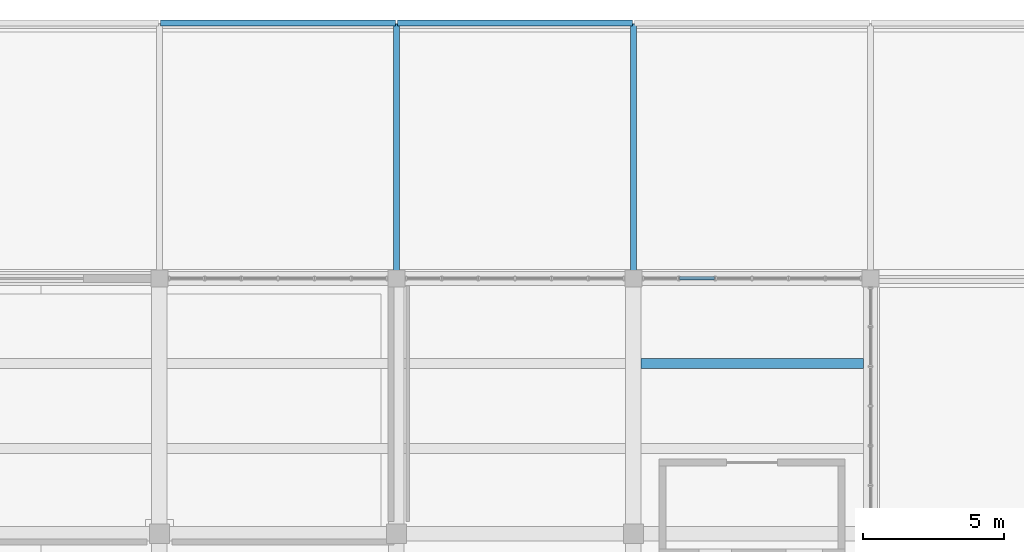
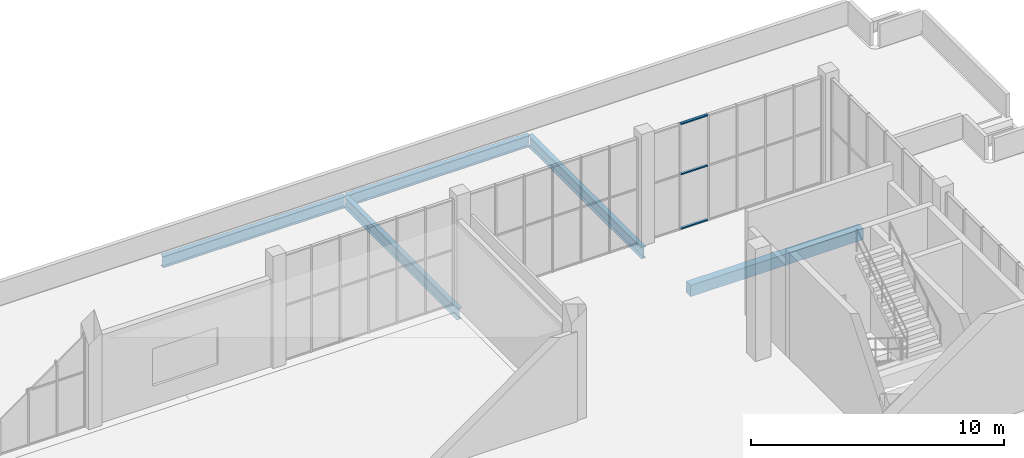
# One storey, part 91 of 132: 5 beams, 3 members, 1 element without a shape of its own.
"""IFC4 building model written with IfcOpenShell, lengths in metres."""

from ifc_helpers import new_model, si_unit, direction, frame, origin, origin_2d, place, context, subcontext, project, spatial, rectangle, hollow_rectangle, i_section, extrude, material, material_profile, profile_set, type_object, element, aggregate, save


model = new_model("IFC4")

# Units and contexts
model_context = context("Model", 3, precision=1e-05, world=origin(), true_north=direction((0.0, 1.0)))
body_context = subcontext(model_context, "Body", "Model", "MODEL_VIEW")
ifc_project = project(units=[si_unit("LENGTHUNIT", "METRE"), si_unit("AREAUNIT", "SQUARE_METRE"), si_unit("VOLUMEUNIT", "CUBIC_METRE"), si_unit("PLANEANGLEUNIT", "RADIAN"), si_unit("MASSUNIT", "GRAM", prefix="KILO")], contexts=[model_context])

# Site, building, storey
site_placement = place(None, origin())
site = spatial("IfcSite", under=ifc_project, at=site_placement, CompositionType="ELEMENT")
building_placement = place(site_placement, origin())
building = spatial("IfcBuilding", under=site, at=building_placement, Name="Khurvash Pelagic Aquarium", CompositionType="ELEMENT")
storey_placement = place(building_placement, frame((0.0, 0.0, 5.39990234375)))
storey = spatial("IfcBuildingStorey", under=building, at=storey_placement, Name="L01", CompositionType="ELEMENT", Elevation=5.39990234375)

# Beams
ifc_material_1 = material(Name="Steel ASTM A992 Grade 50", Category="steel")
ifc_material_profile_1 = material_profile(ifc_material_1, i_section(OverallWidth=0.214111328125, OverallDepth=0.549072265625, WebThickness=0.0146484375, FlangeThickness=0.023681640625, at=origin_2d()), Name="W21X93")
ifc_profile_set_1 = profile_set([ifc_material_profile_1], Name="Steel ASTM A992 Grade 50")
beam_type_1 = type_object("IfcBeamType", Name="BM-11", PredefinedType="BEAM", material=ifc_profile_set_1)
beam_1_placement = place(storey_placement, frame((92.43994140625, 111.199951171875, -0.594482421875), z_axis=(1.0, 0.0, 0.0), x_axis=(0.0, 1.0, 0.0)))
element("IfcBeam", 1, at=beam_1_placement, inside=storey, type_object=beam_type_1, Name="L01 Roof Girder BM-11 01201", PredefinedType="BEAM", context=body_context, shape_type="SweptSolid", body=[
    extrude(i_section(OverallWidth=0.214111328125, OverallDepth=0.549072265625, WebThickness=0.0146484375, FlangeThickness=0.023681640625, at=origin_2d()), origin(), (0.0, 0.0, 1.0), 8.320068359375),
])
beam_2_placement = place(storey_placement, frame((100.840087890625, 111.199951171875, -0.594482421875), z_axis=(1.0, 0.0, 0.0), x_axis=(0.0, 1.0, 0.0)))
element("IfcBeam", 2, at=beam_2_placement, inside=storey, type_object=beam_type_1, Name="L01 Roof Girder BM-11 01202", PredefinedType="BEAM", context=body_context, shape_type="SweptSolid", body=[
    extrude(i_section(OverallWidth=0.214111328125, OverallDepth=0.549072265625, WebThickness=0.0146484375, FlangeThickness=0.023681640625, at=origin_2d()), origin(), (0.0, 0.0, 1.0), 8.31982421875),
])
for number, where, z_axis, x_axis, name in (
    (3, (100.800048828125, 102.18994140625, -0.594482421875), (0.0, 1.0, 0.0), (-1.0, 0.0, 0.0), "L01 Roof Girder BM-11 01214"),
    (4, (109.199951171875, 102.18994140625, -0.594482421875), (0.0, 1.0, 0.0), (-1.0, 0.0, 0.0), "L01 Roof Girder BM-11 01215"),
):
    element("IfcBeam", number, at=place(storey_placement, frame(where, z_axis=z_axis, x_axis=x_axis)), inside=storey, type_object=beam_type_1, Name=name, PredefinedType="BEAM", context=body_context, shape_type="SweptSolid", body=[
        extrude(i_section(OverallWidth=0.214111328125, OverallDepth=0.549072265625, WebThickness=0.0146484375, FlangeThickness=0.023681640625, at=origin_2d()), origin(), (0.0, 0.0, 1.0), 8.969970703125),
    ])

# Curtain wall, members
ifc_material_2 = material(Name="Anodised aluminium and low-E laminated glass", Category="aluminium")
curtain_wall_type = type_object("IfcCurtainWallType", Name="CW-05", PredefinedType="USERDEFINED", material=ifc_material_2)
curtain_wall_placement = place(storey_placement, origin())
curtain_wall = element("IfcCurtainWall", 5, at=curtain_wall_placement, inside=storey, type_object=curtain_wall_type, Name="L01 Facade Unitised Curtain Wall CW-05 0114", ObjectType="UNITISED CURTAIN WALL", PredefinedType="USERDEFINED")
ifc_material_3 = material(Name="Extruded aluminium AW-6063-T6", Category="aluminium")
ifc_material_profile_2 = material_profile(ifc_material_3, hollow_rectangle(XDim=0.1201171875, YDim=0.06005859375, WallThickness=0.00390625, at=origin_2d()), Name="CWT120X60X4")
ifc_profile_set_2 = profile_set([ifc_material_profile_2], Name="Extruded aluminium AW-6063-T6")
member_type = type_object("IfcMemberType", Name="CT-02", PredefinedType="USERDEFINED", material=ifc_profile_set_2)
member_1_placement = place(storey_placement, frame((112.07177734375, 102.14990234375, 0.030029296875), z_axis=(-1.0, 0.0, 0.0), x_axis=(0.0, -1.0, 0.0)))
member_1 = element("IfcMember", 6, at=member_1_placement, type_object=member_type, Name="CW-05 transom 5.1", ObjectType="TRANSOM", PredefinedType="USERDEFINED", context=body_context, shape_type="SweptSolid", body=[
    extrude(hollow_rectangle(XDim=0.1201171875, YDim=0.06005859375, WallThickness=0.00390625, at=origin_2d()), origin(), (0.0, 0.0, 1.0), 1.238525390625),
])
member_2_placement = place(storey_placement, frame((112.07177734375, 102.14990234375, 2.652099609375), z_axis=(-1.0, 0.0, 0.0), x_axis=(0.0, -1.0, 0.0)))
member_2 = element("IfcMember", 7, at=member_2_placement, type_object=member_type, Name="CW-05 transom 5.2", ObjectType="TRANSOM", PredefinedType="USERDEFINED", context=body_context, shape_type="SweptSolid", body=[
    extrude(hollow_rectangle(XDim=0.1201171875, YDim=0.06005859375, WallThickness=0.00390625, at=origin_2d()), origin(), (0.0, 0.0, 1.0), 1.238525390625),
])
member_3_placement = place(storey_placement, frame((112.07177734375, 102.14990234375, 5.070068359375), z_axis=(-1.0, 0.0, 0.0), x_axis=(0.0, -1.0, 0.0)))
member_3 = element("IfcMember", 8, at=member_3_placement, type_object=member_type, Name="CW-05 transom 5.3", ObjectType="TRANSOM", PredefinedType="USERDEFINED", context=body_context, shape_type="SweptSolid", body=[
    extrude(hollow_rectangle(XDim=0.1201171875, YDim=0.06005859375, WallThickness=0.00390625, at=origin_2d()), origin(), (0.0, 0.0, 1.0), 1.238525390625),
])
aggregate(curtain_wall, [member_1, member_2, member_3])

# Beam
ifc_material_4 = material(Name="Concrete C35/45", Category="concrete")
ifc_material_profile_3 = material_profile(ifc_material_4, rectangle(XDim=0.35009765625, YDim=0.550048828125, at=origin_2d()), Name="RC350X550")
ifc_profile_set_3 = profile_set([ifc_material_profile_3], Name="Concrete C35/45")
beam_type_2 = type_object("IfcBeamType", Name="JS-01", PredefinedType="JOIST", material=ifc_profile_set_3)
beam_3_placement = place(storey_placement, frame((109.47509765625, 99.133056640625, -0.5849609375), z_axis=(1.0, 0.0, 0.0), x_axis=(0.0, 1.0, 0.0)))
element("IfcBeam", 9, at=beam_3_placement, inside=storey, type_object=beam_type_2, Name="L01 Floor Joist JS-01 00557", PredefinedType="JOIST", context=body_context, shape_type="SweptSolid", body=[
    extrude(rectangle(XDim=0.35009765625, YDim=0.550048828125, at=origin_2d()), origin(), (0.0, 0.0, 1.0), 7.875),
])

save(model, "model.ifc")
